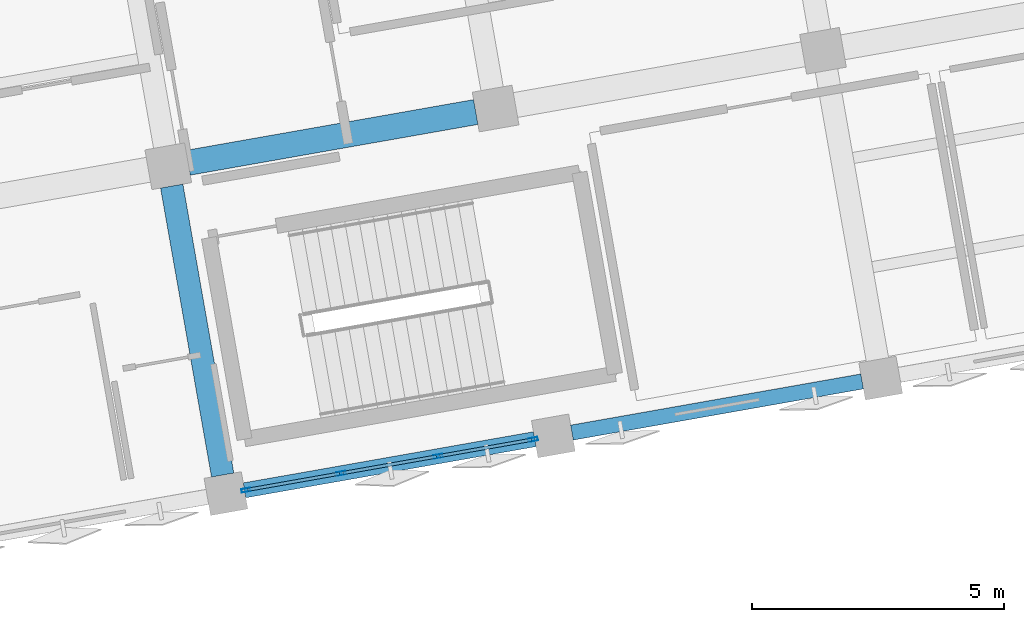
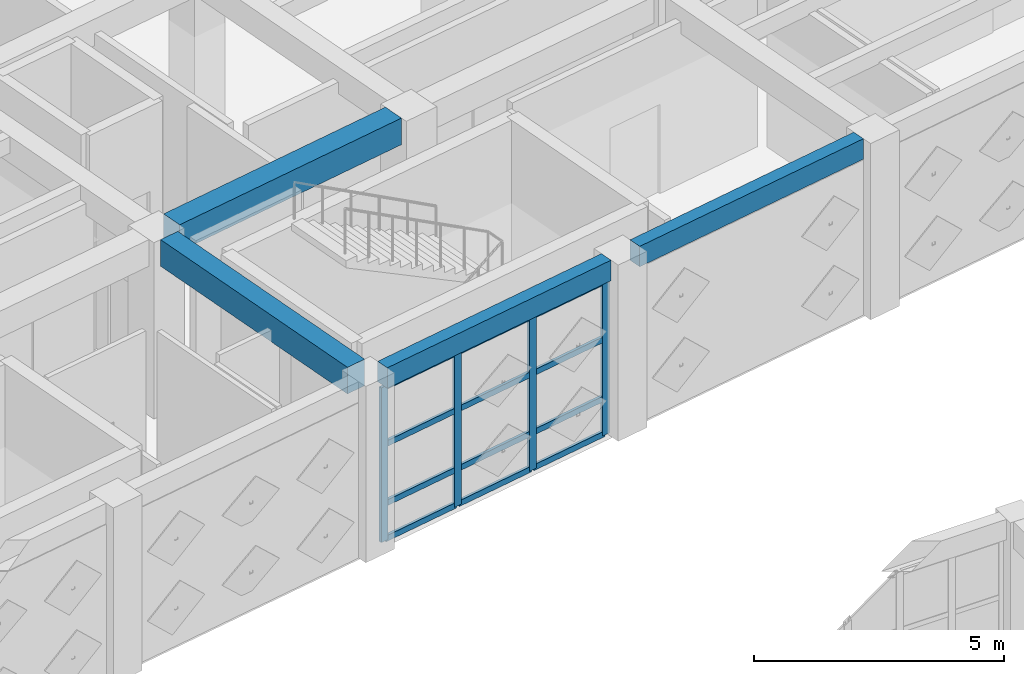
# One storey, part 18 of 80: 16 members, 4 beams, 1 element without a shape of its own.
"""IFC4 building model written with IfcOpenShell, lengths in metres."""

from ifc_helpers import new_model, si_unit, direction, frame, origin, origin_2d, place, context, subcontext, project, spatial, rectangle, hollow_rectangle, extrude, material, layer, layer_set, material_profile, profile_set, type_object, element, aggregate, save


model = new_model("IFC4")

# Units and contexts
model_context = context("Model", 3, precision=1e-05, world=origin(), true_north=direction((0.0, 1.0)))
body_context = subcontext(model_context, "Body", "Model", "MODEL_VIEW")
ifc_project = project(units=[si_unit("LENGTHUNIT", "METRE"), si_unit("AREAUNIT", "SQUARE_METRE"), si_unit("VOLUMEUNIT", "CUBIC_METRE"), si_unit("PLANEANGLEUNIT", "RADIAN"), si_unit("MASSUNIT", "GRAM", prefix="KILO")], contexts=[model_context])

# Site, building, storey
site_placement = place(None, origin())
site = spatial("IfcSite", under=ifc_project, at=site_placement, CompositionType="ELEMENT")
building_placement = place(site_placement, origin())
building = spatial("IfcBuilding", under=site, at=building_placement, Name="Kharisveld Research Institute", CompositionType="ELEMENT")
storey_placement = place(building_placement, frame((0.0, 0.0, 5.10009765625)))
storey = spatial("IfcBuildingStorey", under=building, at=storey_placement, Name="L01", CompositionType="ELEMENT", Elevation=5.10009765625)

# Beams
ifc_material_1 = material(Name="Concrete C40/50", Category="concrete")
ifc_material_profile_1 = material_profile(ifc_material_1, rectangle(XDim=0.449951171875, YDim=0.64990234375, at=origin_2d()))
ifc_profile_set_1 = profile_set([ifc_material_profile_1], Name="Concrete C40/50")
beam_type_1 = type_object("IfcBeamType", Name="BM_RC_450x650", PredefinedType="BEAM", material=ifc_profile_set_1)
beam_1_placement = place(storey_placement, frame((18.13427734375, 37.67138671875, 3.98486328125), z_axis=(-0.173641874505, 0.984808864409, 0.0), x_axis=(-0.984808864409, -0.173641874505, 0.0)))
element("IfcBeam", 1, at=beam_1_placement, inside=storey, type_object=beam_type_1, Name="BM:V1:L01:V2_0", PredefinedType="BEAM", context=body_context, shape_type="SweptSolid", body=[
    extrude(rectangle(XDim=0.449951171875, YDim=0.64990234375, at=origin_2d()), origin(), (0.0, 0.0, 1.0), 5.824951171875),
])
ifc_material_2 = material(Name="Concrete C40/50", Category="concrete")
ifc_material_profile_2 = material_profile(ifc_material_2, rectangle(XDim=0.5, YDim=0.64990234375, at=origin_2d()))
ifc_profile_set_2 = profile_set([ifc_material_profile_2], Name="Concrete C40/50")
beam_type_2 = type_object("IfcBeamType", Name="BM_RC_500x650", PredefinedType="BEAM", material=ifc_profile_set_2)
beam_2_placement = place(storey_placement, frame((17.447265625, 43.871337890625, 3.98486328125), z_axis=(0.984810243831, 0.17363405094, 0.0), x_axis=(-0.17363405094, 0.984810243831, 0.0)))
element("IfcBeam", 2, at=beam_2_placement, inside=storey, type_object=beam_type_2, Name="BM:V1:L01:U2_1", PredefinedType="BEAM", context=body_context, shape_type="SweptSolid", body=[
    extrude(rectangle(XDim=0.5, YDim=0.64990234375, at=origin_2d()), origin(), (0.0, 0.0, 1.0), 5.800048828125),
])

# Curtain wall, members
ifc_material_3 = material(Name="Thermally Broken Aluminium Curtain Wall", Category="aluminium")
ifc_layer = layer(ifc_material_3, 0.159912109375)
ifc_layer_set = layer_set([ifc_layer], Name="CW_SYS_06")
curtain_wall_type = type_object("IfcCurtainWallType", Name="CW_SYS_06", PredefinedType="NOTDEFINED", material=ifc_layer_set)
curtain_wall_placement = place(storey_placement, origin())
curtain_wall = element("IfcCurtainWall", 3, at=curtain_wall_placement, inside=storey, type_object=curtain_wall_type, Name="CW:V1:L01:S3", PredefinedType="NOTDEFINED")
ifc_material_4 = material(Name="Anodised Aluminium AW-6063-T6", Category="aluminium")
ifc_material_profile_3 = material_profile(ifc_material_4, hollow_rectangle(XDim=0.070068359375, YDim=0.179931640625, WallThickness=0.00439453125, at=origin_2d()))
ifc_profile_set_3 = profile_set([ifc_material_profile_3], Name="Anodised Aluminium AW-6063-T6")
member_type_1 = type_object("IfcMemberType", Name="CW_MUL_180", PredefinedType="MULLION", material=ifc_profile_set_3)
member_1_placement = place(storey_placement, frame((24.30029296875, 38.3779296875, 0.0), z_axis=(0.0, 0.0, 1.0), x_axis=(0.173648107969, -0.984807765302, 0.0)))
member_1 = element("IfcMember", 4, at=member_1_placement, type_object=member_type_1, Name="CW-06 mullion 1", PredefinedType="MULLION", context=body_context, shape_type="SweptSolid", body=[
    extrude(hollow_rectangle(XDim=0.070068359375, YDim=0.179931640625, WallThickness=0.00439453125, at=origin_2d()), origin(), (0.0, 0.0, 1.0), 3.77978515625),
])
member_2_placement = place(storey_placement, frame((22.4111328125, 38.044677734375, 0.0), z_axis=(0.0, 0.0, 1.0), x_axis=(0.173648107969, -0.984807765302, 0.0)))
member_2 = element("IfcMember", 5, at=member_2_placement, type_object=member_type_1, Name="CW-06 mullion 2", PredefinedType="MULLION", context=body_context, shape_type="SweptSolid", body=[
    extrude(hollow_rectangle(XDim=0.070068359375, YDim=0.179931640625, WallThickness=0.00439453125, at=origin_2d()), origin(), (0.0, 0.0, 1.0), 3.77978515625),
])
member_3_placement = place(storey_placement, frame((20.487548828125, 37.70556640625, 0.0), z_axis=(0.0, 0.0, 1.0), x_axis=(0.173648107969, -0.984807765302, 0.0)))
member_3 = element("IfcMember", 6, at=member_3_placement, type_object=member_type_1, Name="CW-06 mullion 3", PredefinedType="MULLION", context=body_context, shape_type="SweptSolid", body=[
    extrude(hollow_rectangle(XDim=0.070068359375, YDim=0.179931640625, WallThickness=0.00439453125, at=origin_2d()), origin(), (0.0, 0.0, 1.0), 3.77978515625),
])
member_4_placement = place(storey_placement, frame((18.598388671875, 37.37255859375, 0.0), z_axis=(0.0, 0.0, 1.0), x_axis=(0.173648107969, -0.984807765302, 0.0)))
member_4 = element("IfcMember", 7, at=member_4_placement, type_object=member_type_1, Name="CW-06 mullion 4", PredefinedType="MULLION", context=body_context, shape_type="SweptSolid", body=[
    extrude(hollow_rectangle(XDim=0.070068359375, YDim=0.179931640625, WallThickness=0.00439453125, at=origin_2d()), origin(), (0.0, 0.0, 1.0), 3.77978515625),
])
ifc_material_5 = material(Name="Anodised Aluminium AW-6063-T6", Category="aluminium")
ifc_material_profile_4 = material_profile(ifc_material_5, hollow_rectangle(XDim=0.06494140625, YDim=0.139892578125, WallThickness=0.00390625, at=origin_2d()))
ifc_profile_set_4 = profile_set([ifc_material_profile_4], Name="Anodised Aluminium AW-6063-T6")
member_type_2 = type_object("IfcMemberType", Name="CW_TRN_140", PredefinedType="USERDEFINED", material=ifc_profile_set_4)
member_5_placement = place(storey_placement, frame((24.265869140625, 38.371826171875, 0.032470703125), z_axis=(-0.984800839801, -0.173687379874, 0.0), x_axis=(0.173687379874, -0.984800839801, 0.0)))
member_5 = element("IfcMember", 8, at=member_5_placement, type_object=member_type_2, Name="CW-06 transom 1.1", ObjectType="TRANSOM", PredefinedType="USERDEFINED", context=body_context, shape_type="SweptSolid", body=[
    extrude(hollow_rectangle(XDim=0.06494140625, YDim=0.139892578125, WallThickness=0.00390625, at=origin_2d()), origin(), (0.0, 0.0, 1.0), 1.848388671875),
])
member_6_placement = place(storey_placement, frame((24.265869140625, 38.371826171875, 0.89990234375), z_axis=(-0.984800839801, -0.173687379874, 0.0), x_axis=(0.173687379874, -0.984800839801, 0.0)))
member_6 = element("IfcMember", 9, at=member_6_placement, type_object=member_type_2, Name="CW-06 transom 1.2", ObjectType="TRANSOM", PredefinedType="USERDEFINED", context=body_context, shape_type="SweptSolid", body=[
    extrude(hollow_rectangle(XDim=0.06494140625, YDim=0.139892578125, WallThickness=0.00390625, at=origin_2d()), origin(), (0.0, 0.0, 1.0), 1.848388671875),
])
member_7_placement = place(storey_placement, frame((24.265869140625, 38.371826171875, 2.349853515625), z_axis=(-0.984800839801, -0.173687379874, 0.0), x_axis=(0.173687379874, -0.984800839801, 0.0)))
member_7 = element("IfcMember", 10, at=member_7_placement, type_object=member_type_2, Name="CW-06 transom 1.3", ObjectType="TRANSOM", PredefinedType="USERDEFINED", context=body_context, shape_type="SweptSolid", body=[
    extrude(hollow_rectangle(XDim=0.06494140625, YDim=0.139892578125, WallThickness=0.00390625, at=origin_2d()), origin(), (0.0, 0.0, 1.0), 1.848388671875),
])
member_8_placement = place(storey_placement, frame((24.265869140625, 38.371826171875, 3.747314453125), z_axis=(-0.984800839801, -0.173687379874, 0.0), x_axis=(0.173687379874, -0.984800839801, 0.0)))
member_8 = element("IfcMember", 11, at=member_8_placement, type_object=member_type_2, Name="CW-06 transom 1.4", ObjectType="TRANSOM", PredefinedType="USERDEFINED", context=body_context, shape_type="SweptSolid", body=[
    extrude(hollow_rectangle(XDim=0.06494140625, YDim=0.139892578125, WallThickness=0.00390625, at=origin_2d()), origin(), (0.0, 0.0, 1.0), 1.848388671875),
])
member_9_placement = place(storey_placement, frame((22.376708984375, 38.038818359375, 0.032470703125), z_axis=(-0.984797910441, -0.173703988415, 0.0), x_axis=(0.173703988415, -0.984797910441, 0.0)))
member_9 = element("IfcMember", 12, at=member_9_placement, type_object=member_type_2, Name="CW-06 transom 2.1", ObjectType="TRANSOM", PredefinedType="USERDEFINED", context=body_context, shape_type="SweptSolid", body=[
    extrude(hollow_rectangle(XDim=0.06494140625, YDim=0.139892578125, WallThickness=0.00390625, at=origin_2d()), origin(), (0.0, 0.0, 1.0), 1.88330078125),
])
member_10_placement = place(storey_placement, frame((22.376708984375, 38.038818359375, 0.89990234375), z_axis=(-0.984797910441, -0.173703988415, 0.0), x_axis=(0.173703988415, -0.984797910441, 0.0)))
member_10 = element("IfcMember", 13, at=member_10_placement, type_object=member_type_2, Name="CW-06 transom 2.2", ObjectType="TRANSOM", PredefinedType="USERDEFINED", context=body_context, shape_type="SweptSolid", body=[
    extrude(hollow_rectangle(XDim=0.06494140625, YDim=0.139892578125, WallThickness=0.00390625, at=origin_2d()), origin(), (0.0, 0.0, 1.0), 1.88330078125),
])
member_11_placement = place(storey_placement, frame((22.376708984375, 38.038818359375, 2.349853515625), z_axis=(-0.984797910441, -0.173703988415, 0.0), x_axis=(0.173703988415, -0.984797910441, 0.0)))
member_11 = element("IfcMember", 14, at=member_11_placement, type_object=member_type_2, Name="CW-06 transom 2.3", ObjectType="TRANSOM", PredefinedType="USERDEFINED", context=body_context, shape_type="SweptSolid", body=[
    extrude(hollow_rectangle(XDim=0.06494140625, YDim=0.139892578125, WallThickness=0.00390625, at=origin_2d()), origin(), (0.0, 0.0, 1.0), 1.88330078125),
])
member_12_placement = place(storey_placement, frame((22.376708984375, 38.038818359375, 3.747314453125), z_axis=(-0.984797910441, -0.173703988415, 0.0), x_axis=(0.173703988415, -0.984797910441, 0.0)))
member_12 = element("IfcMember", 15, at=member_12_placement, type_object=member_type_2, Name="CW-06 transom 2.4", ObjectType="TRANSOM", PredefinedType="USERDEFINED", context=body_context, shape_type="SweptSolid", body=[
    extrude(hollow_rectangle(XDim=0.06494140625, YDim=0.139892578125, WallThickness=0.00390625, at=origin_2d()), origin(), (0.0, 0.0, 1.0), 1.88330078125),
])
member_13_placement = place(storey_placement, frame((20.453125, 37.699462890625, 0.032470703125), z_axis=(-0.984823424222, -0.173559278357, 0.0), x_axis=(0.173559278357, -0.984823424222, 0.0)))
member_13 = element("IfcMember", 16, at=member_13_placement, type_object=member_type_2, Name="CW-06 transom 3.1", ObjectType="TRANSOM", PredefinedType="USERDEFINED", context=body_context, shape_type="SweptSolid", body=[
    extrude(hollow_rectangle(XDim=0.06494140625, YDim=0.139892578125, WallThickness=0.00390625, at=origin_2d()), origin(), (0.0, 0.0, 1.0), 1.848388671875),
])
member_14_placement = place(storey_placement, frame((20.453125, 37.699462890625, 0.89990234375), z_axis=(-0.984823424222, -0.173559278357, 0.0), x_axis=(0.173559278357, -0.984823424222, 0.0)))
member_14 = element("IfcMember", 17, at=member_14_placement, type_object=member_type_2, Name="CW-06 transom 3.2", ObjectType="TRANSOM", PredefinedType="USERDEFINED", context=body_context, shape_type="SweptSolid", body=[
    extrude(hollow_rectangle(XDim=0.06494140625, YDim=0.139892578125, WallThickness=0.00390625, at=origin_2d()), origin(), (0.0, 0.0, 1.0), 1.848388671875),
])
member_15_placement = place(storey_placement, frame((20.453125, 37.699462890625, 2.349853515625), z_axis=(-0.984823424222, -0.173559278357, 0.0), x_axis=(0.173559278357, -0.984823424222, 0.0)))
member_15 = element("IfcMember", 18, at=member_15_placement, type_object=member_type_2, Name="CW-06 transom 3.3", ObjectType="TRANSOM", PredefinedType="USERDEFINED", context=body_context, shape_type="SweptSolid", body=[
    extrude(hollow_rectangle(XDim=0.06494140625, YDim=0.139892578125, WallThickness=0.00390625, at=origin_2d()), origin(), (0.0, 0.0, 1.0), 1.848388671875),
])
member_16_placement = place(storey_placement, frame((20.453125, 37.699462890625, 3.747314453125), z_axis=(-0.984823424222, -0.173559278357, 0.0), x_axis=(0.173559278357, -0.984823424222, 0.0)))
member_16 = element("IfcMember", 19, at=member_16_placement, type_object=member_type_2, Name="CW-06 transom 3.4", ObjectType="TRANSOM", PredefinedType="USERDEFINED", context=body_context, shape_type="SweptSolid", body=[
    extrude(hollow_rectangle(XDim=0.06494140625, YDim=0.139892578125, WallThickness=0.00390625, at=origin_2d()), origin(), (0.0, 0.0, 1.0), 1.848388671875),
])
aggregate(curtain_wall, [member_1, member_2, member_3, member_4, member_5, member_6, member_7, member_8, member_9, member_10, member_11, member_12, member_13, member_14, member_15, member_16])

# Beams
ifc_material_6 = material(Name="Concrete C40/50", Category="concrete")
ifc_material_profile_5 = material_profile(ifc_material_6, rectangle(XDim=0.300048828125, YDim=0.5, at=origin_2d()))
ifc_profile_set_5 = profile_set([ifc_material_profile_5], Name="Concrete C40/50")
beam_type_3 = type_object("IfcBeamType", Name="SP_RC_300x500", PredefinedType="SPANDREL", material=ifc_profile_set_5)
for number, where, z_axis, x_axis, name in (
    (20, (18.56884765625, 37.3671875, 4.059814453125), (0.984806238245, 0.17365676812, 0.0), (-0.17365676812, 0.984806238245, 0.0), "BM:V1:L01:U2_0"),
    (21, (25.068603515625, 38.513427734375, 4.059814453125), (0.984806238245, 0.17365676812, 0.0), (-0.17365676812, 0.984806238245, 0.0), "BM:V1:L01:U3_0"),
):
    element("IfcBeam", number, at=place(storey_placement, frame(where, z_axis=z_axis, x_axis=x_axis)), inside=storey, type_object=beam_type_3, Name=name, PredefinedType="SPANDREL", context=body_context, shape_type="SweptSolid", body=[
        extrude(rectangle(XDim=0.300048828125, YDim=0.5, at=origin_2d()), origin(), (0.0, 0.0, 1.0), 5.849853515625),
    ])

save(model, "model.ifc")
